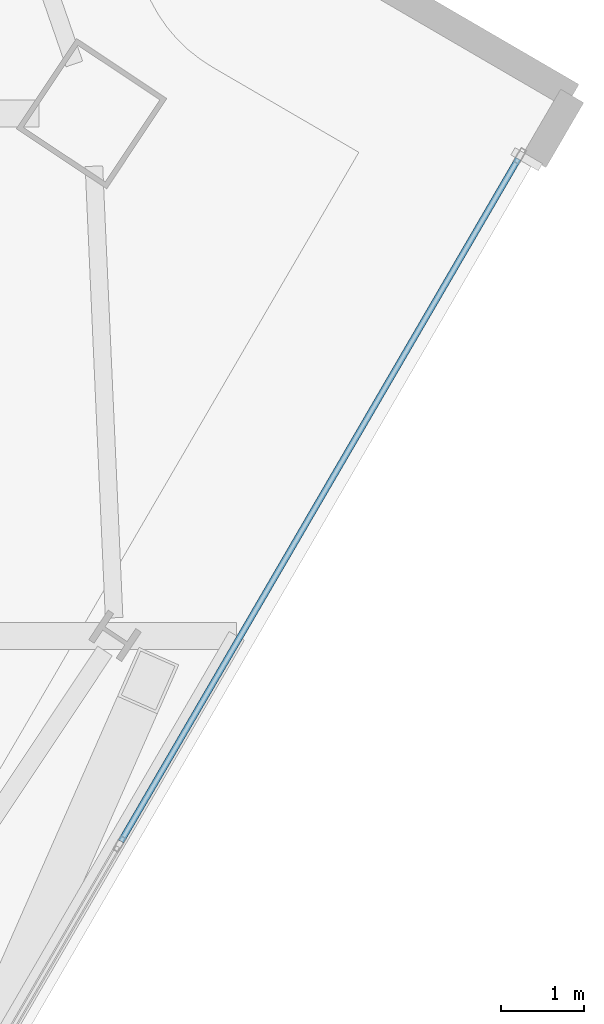
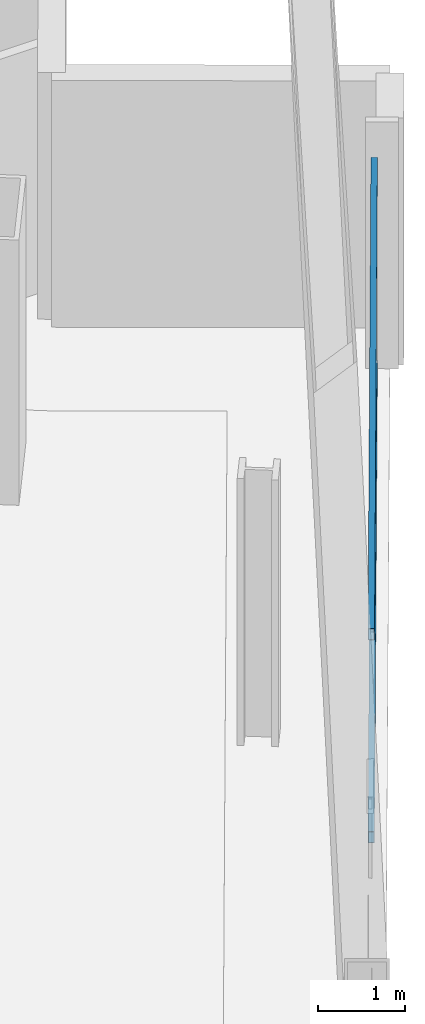
# One storey, part 12 of 29: 2 members, 1 element without a shape of its own.
"""IFC4 building model written with IfcOpenShell, lengths in metres."""

from ifc_helpers import new_model, si_unit, direction, frame, origin, origin_2d, place, context, subcontext, project, spatial, hollow_rectangle, extrude, material, material_profile, profile_set, type_object, element, aggregate, save


model = new_model("IFC4")

# Units and contexts
model_context = context("Model", 3, precision=1e-05, world=origin(), true_north=direction((0.0, 1.0)))
body_context = subcontext(model_context, "Body", "Model", "MODEL_VIEW")
ifc_project = project(units=[si_unit("LENGTHUNIT", "METRE"), si_unit("AREAUNIT", "SQUARE_METRE"), si_unit("VOLUMEUNIT", "CUBIC_METRE"), si_unit("PLANEANGLEUNIT", "RADIAN"), si_unit("MASSUNIT", "GRAM", prefix="KILO")], contexts=[model_context])

# Site, building, storey
site_placement = place(None, origin())
site = spatial("IfcSite", under=ifc_project, at=site_placement, CompositionType="ELEMENT")
building_placement = place(site_placement, origin())
building = spatial("IfcBuilding", under=site, at=building_placement, Name="Haldenkirk Collegiate Tower", CompositionType="ELEMENT")
storey_placement = place(building_placement, frame((0.0, 0.0, 228.449951171875)))
storey = spatial("IfcBuildingStorey", under=building, at=storey_placement, Name="L57", CompositionType="ELEMENT", Elevation=228.449951171875)

# Curtain wall, members
ifc_material = material(Name="Anodised architectural bronze aluminium", Category="aluminium")
curtain_wall_type = type_object("IfcCurtainWallType", Name="CW-SYS2-CONCAVE", PredefinedType="USERDEFINED", material=ifc_material)
curtain_wall_placement = place(storey_placement, origin())
curtain_wall = element("IfcCurtainWall", 1, at=curtain_wall_placement, inside=storey, type_object=curtain_wall_type, Name="L57 South concave recessed bronze-anodised curtain wall", ObjectType="UNITISED CURTAIN WALL", PredefinedType="USERDEFINED")
ifc_material_profile = material_profile(ifc_material, hollow_rectangle(XDim=0.074951171875, YDim=0.159912109375, WallThickness=0.0048828125, at=origin_2d()), Name="CW-TRN-02")
ifc_profile_set = profile_set([ifc_material_profile], Name="Anodised architectural bronze aluminium")
member_type = type_object("IfcMemberType", Name="CW-TRN-02", PredefinedType="USERDEFINED", material=ifc_profile_set)
member_1_placement = place(storey_placement, frame((65.598876953125, 30.84375, 0.03759765625), z_axis=(-0.503033407031, -0.864266967673, 0.0), x_axis=(0.864266967673, -0.503033407031, 0.0)))
member_1 = element("IfcMember", 2, at=member_1_placement, type_object=member_type, Name="CW-02 transom 1.1", ObjectType="TRANSOM", PredefinedType="USERDEFINED", context=body_context, shape_type="SweptSolid", body=[
    extrude(hollow_rectangle(XDim=0.074951171875, YDim=0.159912109375, WallThickness=0.0048828125, at=origin_2d()), origin(), (0.0, 0.0, 1.0), 9.462646484375),
])
member_2_placement = place(storey_placement, frame((65.598876953125, 30.84375, 2.890625), z_axis=(-0.503033407031, -0.864266967673, 0.0), x_axis=(0.864266967673, -0.503033407031, 0.0)))
member_2 = element("IfcMember", 3, at=member_2_placement, type_object=member_type, Name="CW-02 transom 1.2", ObjectType="TRANSOM", PredefinedType="USERDEFINED", context=body_context, shape_type="SweptSolid", body=[
    extrude(hollow_rectangle(XDim=0.074951171875, YDim=0.159912109375, WallThickness=0.0048828125, at=origin_2d()), origin(), (0.0, 0.0, 1.0), 9.462646484375),
])
aggregate(curtain_wall, [member_1, member_2])

save(model, "model.ifc")
